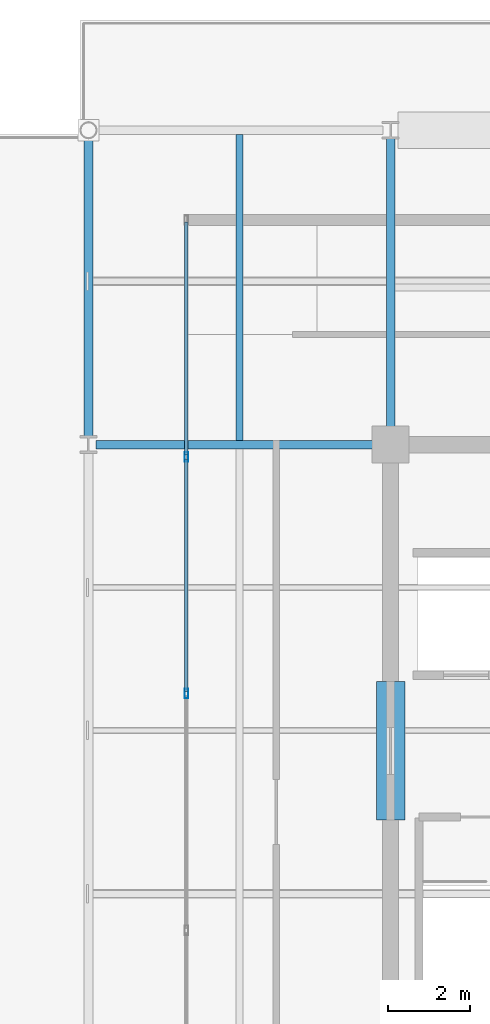
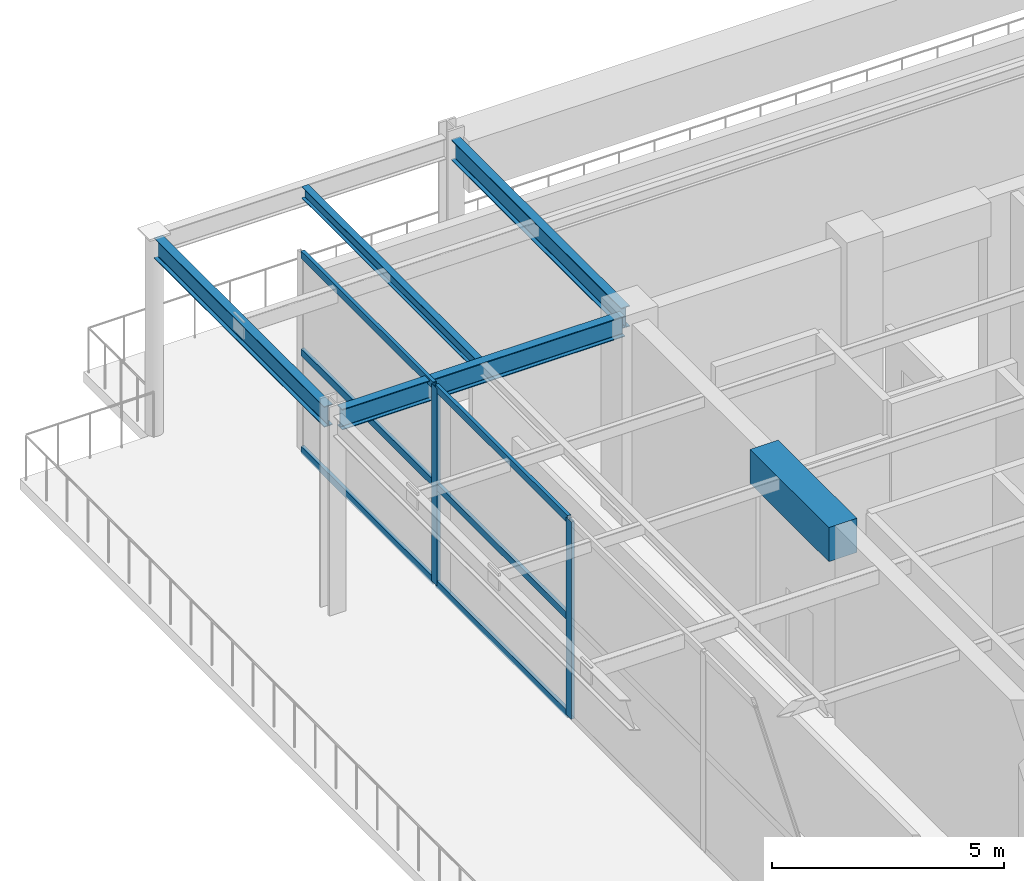
# One storey, part 4 of 16: 8 members, 5 beams, 1 element without a shape of its own.
"""IFC4 building model written with IfcOpenShell, lengths in metres."""

from ifc_helpers import new_model, si_unit, direction, frame, origin, origin_2d, place, context, subcontext, project, spatial, rectangle, hollow_rectangle, i_section, extrude, material, material_profile, profile_set, type_object, element, aggregate, save


model = new_model("IFC4")

# Units and contexts
model_context = context("Model", 3, precision=1e-05, world=origin(), true_north=direction((0.0, 1.0)))
body_context = subcontext(model_context, "Body", "Model", "MODEL_VIEW")
ifc_project = project(units=[si_unit("LENGTHUNIT", "METRE"), si_unit("AREAUNIT", "SQUARE_METRE"), si_unit("VOLUMEUNIT", "CUBIC_METRE"), si_unit("PLANEANGLEUNIT", "RADIAN"), si_unit("MASSUNIT", "GRAM", prefix="KILO")], contexts=[model_context])

# Site, building, storey
site_placement = place(None, origin())
site = spatial("IfcSite", under=ifc_project, at=site_placement, CompositionType="ELEMENT")
building_placement = place(site_placement, origin())
building = spatial("IfcBuilding", under=site, at=building_placement, Name="Kovane Verandah Tower", CompositionType="ELEMENT")
storey_placement = place(building_placement, frame((0.0, 0.0, 354.300048828125)))
storey = spatial("IfcBuildingStorey", under=building, at=storey_placement, Name="L82", CompositionType="ELEMENT", Elevation=354.300048828125)

# Beams
ifc_material_1 = material(Name="Concrete C60/75", Category="concrete")
ifc_material_profile_1 = material_profile(ifc_material_1, rectangle(XDim=0.699951171875, YDim=0.89990234375, at=origin_2d()), Name="RCB700x900")
ifc_profile_set_1 = profile_set([ifc_material_profile_1], Name="Concrete C60/75")
beam_type_1 = type_object("IfcBeamType", Name="BM-LINTEL-700x900", PredefinedType="LINTEL", material=ifc_profile_set_1)
beam_1_placement = place(storey_placement, frame((29.0, 27.300048828125, 4.7900390625), z_axis=(0.0, 1.0, 0.0), x_axis=(-1.0, 0.0, 0.0)))
element("IfcBeam", 1, at=beam_1_placement, inside=storey, type_object=beam_type_1, Name="L82 Core Coupling Lintel CL-W", PredefinedType="LINTEL", context=body_context, shape_type="SweptSolid", body=[
    extrude(rectangle(XDim=0.699951171875, YDim=0.89990234375, at=origin_2d()), origin(), (0.0, 0.0, 1.0), 3.39990234375),
])
ifc_material_2 = material(Name="Steel S355", Category="steel")
ifc_material_profile_2 = material_profile(ifc_material_2, i_section(OverallWidth=0.2119140625, OverallDepth=0.54443359375, WebThickness=0.0126953125, FlangeThickness=0.021240234375, FilletRadius=0.0126953125, at=origin_2d()), Name="UB533x210x122")
ifc_profile_set_2 = profile_set([ifc_material_profile_2], Name="Steel S355")
beam_type_2 = type_object("IfcBeamType", Name="BM-UB533x122", PredefinedType="BEAM", material=ifc_profile_set_2)
beam_2_placement = place(storey_placement, frame((21.60009765625, 36.679931640625, 4.9677734375), z_axis=(0.0, 1.0, 0.0), x_axis=(-1.0, 0.0, 0.0)))
element("IfcBeam", 2, at=beam_2_placement, inside=storey, type_object=beam_type_2, Name="L82 Primary Tower Girder G-RW3", PredefinedType="BEAM", context=body_context, shape_type="SweptSolid", body=[
    extrude(i_section(OverallWidth=0.2119140625, OverallDepth=0.54443359375, WebThickness=0.0126953125, FlangeThickness=0.021240234375, FilletRadius=0.0126953125, at=origin_2d()), origin(), (0.0, 0.0, 1.0), 7.340087890625),
])
beam_3_placement = place(storey_placement, frame((28.820068359375, 36.5, 4.9677734375), z_axis=(-1.0, 0.0, 0.0), x_axis=(0.0, -1.0, 0.0)))
element("IfcBeam", 3, at=beam_3_placement, inside=storey, type_object=beam_type_2, Name="L82 Primary Tower Girder G-W2", PredefinedType="BEAM", context=body_context, shape_type="SweptSolid", body=[
    extrude(i_section(OverallWidth=0.2119140625, OverallDepth=0.54443359375, WebThickness=0.0126953125, FlangeThickness=0.021240234375, FilletRadius=0.0126953125, at=origin_2d()), origin(), (0.0, 0.0, 1.0), 7.0400390625),
])
beam_4_placement = place(storey_placement, frame((29.0, 36.679931640625, 4.9677734375), z_axis=(0.0, 1.0, 0.0), x_axis=(-1.0, 0.0, 0.0)))
element("IfcBeam", 4, at=beam_4_placement, inside=storey, type_object=beam_type_2, Name="L82 Primary Tower Girder G-N1", PredefinedType="BEAM", context=body_context, shape_type="SweptSolid", body=[
    extrude(i_section(OverallWidth=0.2119140625, OverallDepth=0.54443359375, WebThickness=0.0126953125, FlangeThickness=0.021240234375, FilletRadius=0.0126953125, at=origin_2d()), origin(), (0.0, 0.0, 1.0), 7.340087890625),
])

# Curtain wall, members
ifc_material_3 = material(Name="Champagne Anodised Aluminium Frame with Low-E Clear Laminated Glass", Category="aluminium")
curtain_wall_type = type_object("IfcCurtainWallType", Name="CW-SYS-06-CROWN", PredefinedType="NOTDEFINED", material=ifc_material_3)
curtain_wall_placement = place(storey_placement, origin())
curtain_wall = element("IfcCurtainWall", 5, at=curtain_wall_placement, inside=storey, type_object=curtain_wall_type, Name="L82 Crown Enclosure Curtain Wall W", PredefinedType="NOTDEFINED")
ifc_material_4 = material(Name="Champagne Anodised Aluminium 6063-T6", Category="aluminium")
ifc_material_profile_3 = material_profile(ifc_material_4, hollow_rectangle(XDim=0.0849609375, YDim=0.22998046875, WallThickness=0.00390625, at=origin_2d()), Name="AL85x230x4")
ifc_profile_set_3 = profile_set([ifc_material_profile_3], Name="Champagne Anodised Aluminium 6063-T6")
member_type_1 = type_object("IfcMemberType", Name="CW-MUL-85x230", PredefinedType="MULLION", material=ifc_profile_set_3)
member_1_placement = place(storey_placement, frame((24.0, 36.199951171875, 0.02001953125), z_axis=(0.0, 0.0, 1.0), x_axis=(-1.0, 0.0, 0.0)))
member_1 = element("IfcMember", 6, at=member_1_placement, type_object=member_type_1, Name="L82 Crown Enclosure Curtain Wall W Mullion 2", PredefinedType="MULLION", context=body_context, shape_type="SweptSolid", body=[
    extrude(hollow_rectangle(XDim=0.0849609375, YDim=0.22998046875, WallThickness=0.00390625, at=origin_2d()), origin(), (0.0, 0.0, 1.0), 5.199951171875),
])
member_2_placement = place(storey_placement, frame((24.0, 30.39990234375, 0.02001953125), z_axis=(0.0, 0.0, 1.0), x_axis=(-1.0, 0.0, 0.0)))
member_2 = element("IfcMember", 7, at=member_2_placement, type_object=member_type_1, Name="L82 Crown Enclosure Curtain Wall W Mullion 3", PredefinedType="MULLION", context=body_context, shape_type="SweptSolid", body=[
    extrude(hollow_rectangle(XDim=0.0849609375, YDim=0.22998046875, WallThickness=0.00390625, at=origin_2d()), origin(), (0.0, 0.0, 1.0), 5.199951171875),
])
ifc_material_profile_4 = material_profile(ifc_material_4, hollow_rectangle(XDim=0.0849609375, YDim=0.18994140625, WallThickness=0.00390625, at=origin_2d()), Name="AL85x190x4")
ifc_profile_set_4 = profile_set([ifc_material_profile_4], Name="Champagne Anodised Aluminium 6063-T6")
member_type_2 = type_object("IfcMemberType", Name="CW-TRN-85x190", PredefinedType="USERDEFINED", material=ifc_profile_set_4)
member_3_placement = place(storey_placement, frame((24.0, 41.949951171875, 0.050048828125), z_axis=(0.0, -1.0, 0.0), x_axis=(1.0, 0.0, 0.0)))
member_3 = element("IfcMember", 8, at=member_3_placement, type_object=member_type_2, Name="L82 Crown Enclosure Curtain Wall W Transom TB Bay 1", ObjectType="TRANSOM", PredefinedType="USERDEFINED", context=body_context, shape_type="SweptSolid", body=[
    extrude(hollow_rectangle(XDim=0.0849609375, YDim=0.18994140625, WallThickness=0.00390625, at=origin_2d()), origin(), (0.0, 0.0, 1.0), 5.699951171875),
])
member_4_placement = place(storey_placement, frame((24.0, 41.949951171875, 2.619873046875), z_axis=(0.0, -1.0, 0.0), x_axis=(1.0, 0.0, 0.0)))
member_4 = element("IfcMember", 9, at=member_4_placement, type_object=member_type_2, Name="L82 Crown Enclosure Curtain Wall W Transom TM Bay 1", ObjectType="TRANSOM", PredefinedType="USERDEFINED", context=body_context, shape_type="SweptSolid", body=[
    extrude(hollow_rectangle(XDim=0.0849609375, YDim=0.18994140625, WallThickness=0.00390625, at=origin_2d()), origin(), (0.0, 0.0, 1.0), 5.699951171875),
])
member_5_placement = place(storey_placement, frame((24.0, 41.949951171875, 5.18994140625), z_axis=(0.0, -1.0, 0.0), x_axis=(1.0, 0.0, 0.0)))
member_5 = element("IfcMember", 10, at=member_5_placement, type_object=member_type_2, Name="L82 Crown Enclosure Curtain Wall W Transom TT Bay 1", ObjectType="TRANSOM", PredefinedType="USERDEFINED", context=body_context, shape_type="SweptSolid", body=[
    extrude(hollow_rectangle(XDim=0.0849609375, YDim=0.18994140625, WallThickness=0.00390625, at=origin_2d()), origin(), (0.0, 0.0, 1.0), 5.699951171875),
])
member_6_placement = place(storey_placement, frame((24.0, 36.14990234375, 0.050048828125), z_axis=(0.0, -1.0, 0.0), x_axis=(1.0, 0.0, 0.0)))
member_6 = element("IfcMember", 11, at=member_6_placement, type_object=member_type_2, Name="L82 Crown Enclosure Curtain Wall W Transom TB Bay 2", ObjectType="TRANSOM", PredefinedType="USERDEFINED", context=body_context, shape_type="SweptSolid", body=[
    extrude(hollow_rectangle(XDim=0.0849609375, YDim=0.18994140625, WallThickness=0.00390625, at=origin_2d()), origin(), (0.0, 0.0, 1.0), 5.699951171875),
])
member_7_placement = place(storey_placement, frame((24.0, 36.14990234375, 2.619873046875), z_axis=(0.0, -1.0, 0.0), x_axis=(1.0, 0.0, 0.0)))
member_7 = element("IfcMember", 12, at=member_7_placement, type_object=member_type_2, Name="L82 Crown Enclosure Curtain Wall W Transom TM Bay 2", ObjectType="TRANSOM", PredefinedType="USERDEFINED", context=body_context, shape_type="SweptSolid", body=[
    extrude(hollow_rectangle(XDim=0.0849609375, YDim=0.18994140625, WallThickness=0.00390625, at=origin_2d()), origin(), (0.0, 0.0, 1.0), 5.699951171875),
])
member_8_placement = place(storey_placement, frame((24.0, 36.14990234375, 5.18994140625), z_axis=(0.0, -1.0, 0.0), x_axis=(1.0, 0.0, 0.0)))
member_8 = element("IfcMember", 13, at=member_8_placement, type_object=member_type_2, Name="L82 Crown Enclosure Curtain Wall W Transom TT Bay 2", ObjectType="TRANSOM", PredefinedType="USERDEFINED", context=body_context, shape_type="SweptSolid", body=[
    extrude(hollow_rectangle(XDim=0.0849609375, YDim=0.18994140625, WallThickness=0.00390625, at=origin_2d()), origin(), (0.0, 0.0, 1.0), 5.699951171875),
])
aggregate(curtain_wall, [member_1, member_2, member_3, member_4, member_5, member_6, member_7, member_8])

# Beam
ifc_material_profile_5 = material_profile(ifc_material_2, i_section(OverallWidth=0.1669921875, OverallDepth=0.310302734375, WebThickness=0.0078125, FlangeThickness=0.013671875, FilletRadius=0.0087890625, at=origin_2d()), Name="UB305x165x54")
ifc_profile_set_5 = profile_set([ifc_material_profile_5], Name="Steel S355")
beam_type_3 = type_object("IfcBeamType", Name="JST-UB305x54", PredefinedType="JOIST", material=ifc_profile_set_5)
beam_5_placement = place(storey_placement, frame((25.300048828125, 36.60400390625, 5.084716796875), z_axis=(0.0, 1.0, 0.0), x_axis=(-1.0, 0.0, 0.0)))
element("IfcBeam", 14, at=beam_5_placement, inside=storey, type_object=beam_type_3, Name="L82 Secondary Composite Joist J-NW1", PredefinedType="JOIST", context=body_context, shape_type="SweptSolid", body=[
    extrude(i_section(OverallWidth=0.1669921875, OverallDepth=0.310302734375, WebThickness=0.0078125, FlangeThickness=0.013671875, FilletRadius=0.0087890625, at=origin_2d()), origin(), (0.0, 0.0, 1.0), 7.491943359375),
])

save(model, "model.ifc")
